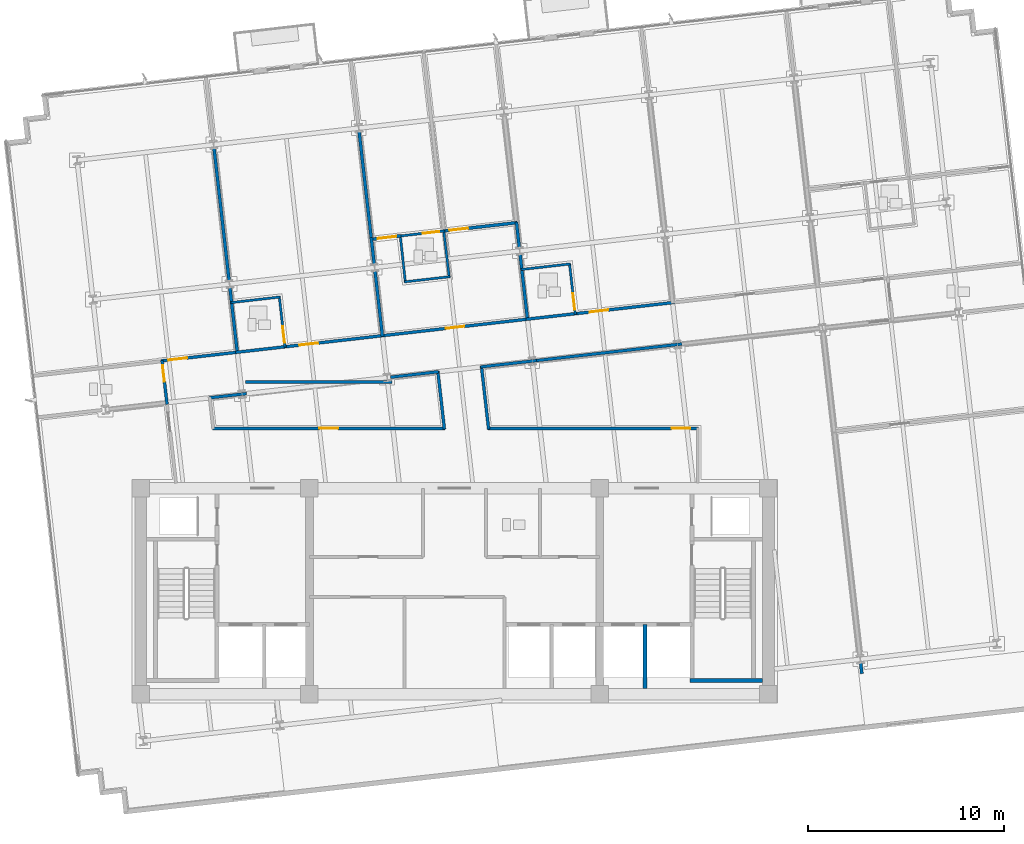
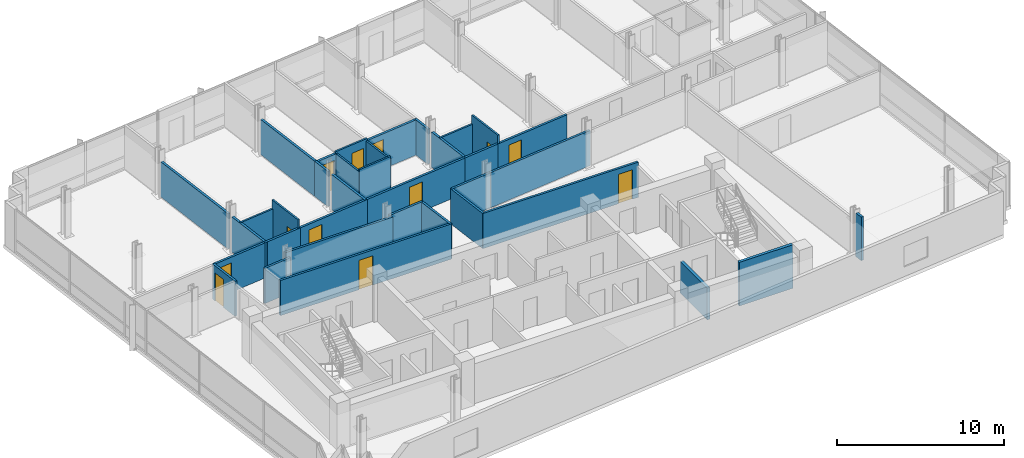
# One storey, part 10 of 16: 36 walls, 12 doors, 12 openings.
"""IFC4 building model written with IfcOpenShell, lengths in metres."""

from ifc_helpers import new_model, si_unit, direction, frame, frame_2d, origin, place, context, subcontext, project, spatial, rectangle, extrude, material, layer, layer_set, type_object, element, fill, save


model = new_model("IFC4")

# Units and contexts
model_context = context("Model", 3, precision=1e-05, world=origin(), true_north=direction((0.0, 1.0)))
body_context = subcontext(model_context, "Body", "Model", "MODEL_VIEW")
ifc_project = project(units=[si_unit("LENGTHUNIT", "METRE"), si_unit("AREAUNIT", "SQUARE_METRE"), si_unit("VOLUMEUNIT", "CUBIC_METRE"), si_unit("PLANEANGLEUNIT", "RADIAN"), si_unit("MASSUNIT", "GRAM", prefix="KILO")], contexts=[model_context])

# Site, building, storey
site_placement = place(None, origin())
site = spatial("IfcSite", under=ifc_project, at=site_placement, CompositionType="ELEMENT")
building_placement = place(site_placement, origin())
building = spatial("IfcBuilding", under=site, at=building_placement, Name="Solmavex Isthmus Hotel", CompositionType="ELEMENT")
storey_placement = place(building_placement, frame((0.0, 0.0, 215.85009765625)))
storey = spatial("IfcBuildingStorey", under=building, at=storey_placement, Name="L58", CompositionType="ELEMENT", Elevation=215.85009765625)

# Walls
ifc_material_1 = material(Name="Gypsum plasterboard lining", Category="gypsum")
ifc_layer_1 = layer(ifc_material_1, 0.159912109375)
ifc_layer_set_1 = layer_set([ifc_layer_1], Name="Gypsum plasterboard lining")
wall_type_1 = type_object("IfcWallType", Name="IW-COMP-160", PredefinedType="PARTITIONING", material=ifc_layer_set_1)
wall_1_placement = place(storey_placement, frame((-12.262939453125, 14.84326171875, 0.0), z_axis=(0.0, 0.0, 1.0), x_axis=(0.113177968069, -0.993574731736, 0.0)))
element("IfcWall", 1, at=wall_1_placement, inside=storey, type_object=wall_type_1, Name="Interior Partition Wall W-L58-P026", PredefinedType="PARTITIONING", context=body_context, shape_type="SweptSolid", body=[
    extrude(rectangle(XDim=6.79931640625, YDim=0.159912109375, at=frame_2d((3.399658203125, 0.0))), origin(), (0.0, 0.0, 1.0), 2.572265625),
])
wall_2_placement = place(storey_placement, frame((-11.453369140625, 7.737060546875, 0.0), z_axis=(0.0, 0.0, 1.0), x_axis=(0.113229088195, -0.993568907317, 0.0)))
element("IfcWall", 2, at=wall_2_placement, inside=storey, type_object=wall_type_1, Name="Interior Partition Wall W-L58-P027", PredefinedType="PARTITIONING", context=body_context, shape_type="SweptSolid", body=[
    extrude(rectangle(XDim=3.361572265625, YDim=0.159912109375, at=frame_2d((1.6806640625, 0.0))), origin(), (0.0, 0.0, 1.0), 2.572265625),
])
wall_3_placement = place(storey_placement, frame((-4.248779296875, 10.27734375, 0.0), z_axis=(0.0, 0.0, 1.0), x_axis=(0.113277393391, -0.993563401171, 0.0)))
element("IfcWall", 3, at=wall_3_placement, inside=storey, type_object=wall_type_1, Name="Interior Partition Wall W-L58-P031", PredefinedType="PARTITIONING", context=body_context, shape_type="SweptSolid", body=[
    extrude(rectangle(XDim=1.355712890625, YDim=0.159912109375, at=frame_2d((0.677734375, 0.0))), origin(), (0.0, 0.0, 1.0), 2.572265625),
])
wall_4_placement = place(storey_placement, frame((-4.05517578125, 8.580078125, 0.0), z_axis=(0.0, 0.0, 1.0), x_axis=(0.113149223935, -0.993578005555, 0.0)))
element("IfcWall", 4, at=wall_4_placement, inside=storey, type_object=wall_type_1, Name="Interior Partition Wall W-L58-P032", PredefinedType="PARTITIONING", context=body_context, shape_type="SweptSolid", body=[
    extrude(rectangle(XDim=3.361572265625, YDim=0.159912109375, at=frame_2d((1.6806640625, 0.0))), origin(), (0.0, 0.0, 1.0), 2.572265625),
])
wall_5_placement = place(storey_placement, frame((-4.864990234375, 15.68603515625, 0.0), z_axis=(0.0, 0.0, 1.0), x_axis=(0.113240841501, -0.993567567816, 0.0)))
element("IfcWall", 5, at=wall_5_placement, inside=storey, type_object=wall_type_1, Name="Interior Partition Wall W-L58-P034", PredefinedType="PARTITIONING", context=body_context, shape_type="SweptSolid", body=[
    extrude(rectangle(XDim=5.607666015625, YDim=0.159912109375, at=frame_2d((2.8037109375, 0.0))), origin(), (0.0, 0.0, 1.0), 2.572265625),
])

# Wall, opening, door
wall_6_placement = place(storey_placement, frame((-4.279052734375, 10.19140625, 0.0), z_axis=(0.0, 0.0, 1.0), x_axis=(0.993567364513, 0.113242625259, 0.0)))
wall_6 = element("IfcWall", 6, at=wall_6_placement, inside=storey, type_object=wall_type_1, Name="Interior Partition Wall W-L58-P035", PredefinedType="PARTITIONING", context=body_context, shape_type="SweptSolid", body=[
    extrude(rectangle(XDim=1.56298828125, YDim=0.159912109375, at=frame_2d((0.781494140625, 0.0))), origin(), (0.0, 0.0, 1.0), 2.572265625),
])
opening_1_placement = place(wall_6_placement, frame((0.368896484375, 0.0, 0.0)))
opening_1 = element("IfcOpeningElement", 7, at=opening_1_placement, cuts=wall_6, Name="Opening ID-C095", PredefinedType="OPENING", context=body_context, shape_type="SweptSolid", body=[
    extrude(rectangle(XDim=0.949951171875, YDim=2.14990234375, at=frame_2d((0.47509765625, 1.074951171875))), frame((0.0, 0.08984375, 0.0), z_axis=(0.0, -1.0, 0.0), x_axis=(1.0, 0.0, 0.0)), (0.0, 0.0, 1.0), 0.179931640625),
])
ifc_material_2 = material(Name="Hardwood timber", Category="wood")
door_type_1 = type_object("IfcDoorType", Name="IDR-FD60-0950", OperationType="NOTDEFINED", PredefinedType="DOOR", material=ifc_material_2)
door_1_placement = place(opening_1_placement, origin())
door_1 = element("IfcDoor", 8, at=door_1_placement, inside=storey, type_object=door_type_1, Name="Ambassador Panorama Suite Master Bedroom Door L58-05", OperationType="SINGLE_SWING_LEFT", OverallHeight=2.14990234375, OverallWidth=0.949951171875, PredefinedType="DOOR", context=body_context, shape_type="SweptSolid", body=[
    extrude(rectangle(XDim=0.949951171875, YDim=2.14990234375, at=frame_2d((0.47509765625, 1.074951171875))), frame((0.0, 0.02490234375, 0.0), z_axis=(0.0, -1.0, 0.0), x_axis=(1.0, 0.0, 0.0)), (0.0, 0.0, 1.0), 0.050048828125),
])
fill(opening_1, door_1)

wall_7_placement = place(storey_placement, frame((-0.590087890625, 10.61181640625, 0.0), z_axis=(0.0, 0.0, 1.0), x_axis=(0.99357223569, 0.11319987838, 0.0)))
wall_7 = element("IfcWall", 9, at=wall_7_placement, inside=storey, type_object=wall_type_1, Name="Interior Partition Wall W-L58-P036", PredefinedType="PARTITIONING", context=body_context, shape_type="SweptSolid", body=[
    extrude(rectangle(XDim=3.81298828125, YDim=0.159912109375, at=frame_2d((1.906494140625, 0.0))), origin(), (0.0, 0.0, 1.0), 2.572265625),
])
opening_2_placement = place(wall_7_placement, frame((0.333984375, 0.0, 0.0)))
opening_2 = element("IfcOpeningElement", 10, at=opening_2_placement, cuts=wall_7, Name="Opening ID-C095", PredefinedType="OPENING", context=body_context, shape_type="SweptSolid", body=[
    extrude(rectangle(XDim=0.949951171875, YDim=2.14990234375, at=frame_2d((0.47509765625, 1.074951171875))), frame((0.0, 0.08984375, 0.0), z_axis=(0.0, -1.0, 0.0), x_axis=(1.0, 0.0, 0.0)), (0.0, 0.0, 1.0), 0.179931640625),
])
door_2_placement = place(opening_2_placement, origin())
door_2 = element("IfcDoor", 11, at=door_2_placement, inside=storey, type_object=door_type_1, Name="Ambassador Panorama Suite Panorama Sitting Study Door L58-06", OperationType="SINGLE_SWING_RIGHT", OverallHeight=2.14990234375, OverallWidth=0.949951171875, PredefinedType="DOOR", context=body_context, shape_type="SweptSolid", body=[
    extrude(rectangle(XDim=0.949951171875, YDim=2.14990234375, at=frame_2d((0.47509765625, 1.074951171875))), frame((0.0, 0.02490234375, 0.0), z_axis=(0.0, -1.0, 0.0), x_axis=(1.0, 0.0, 0.0)), (0.0, 0.0, 1.0), 0.050048828125),
])
fill(opening_2, door_2)

# Walls
wall_8_placement = place(storey_placement, frame((3.154296875, 11.07861328125, 0.0), z_axis=(0.0, 0.0, 1.0), x_axis=(0.113184910218, -0.993573940932, 0.0)))
element("IfcWall", 12, at=wall_8_placement, inside=storey, type_object=wall_type_1, Name="Interior Partition Wall W-L58-P040", PredefinedType="PARTITIONING", context=body_context, shape_type="SweptSolid", body=[
    extrude(rectangle(XDim=1.313720703125, YDim=0.159912109375, at=frame_2d((0.65673828125, 0.0))), origin(), (0.0, 0.0, 1.0), 2.572265625),
])
wall_9_placement = place(storey_placement, frame((3.3427734375, 9.4228515625, 0.0), z_axis=(0.0, 0.0, 1.0), x_axis=(0.113229088195, -0.993568907317, 0.0)))
element("IfcWall", 13, at=wall_9_placement, inside=storey, type_object=wall_type_1, Name="Interior Partition Wall W-L58-P041", PredefinedType="PARTITIONING", context=body_context, shape_type="SweptSolid", body=[
    extrude(rectangle(XDim=3.361572265625, YDim=0.159912109375, at=frame_2d((1.6806640625, 0.0))), origin(), (0.0, 0.0, 1.0), 2.572265625),
])
wall_10_placement = place(storey_placement, frame((20.766845703125, -11.95361328125, 0.0), z_axis=(0.0, 0.0, 1.0), x_axis=(-0.113473301663, 0.993541045861, 0.0)))
element("IfcWall", 14, at=wall_10_placement, inside=storey, type_object=wall_type_1, Name="Interior Partition Wall W-L58-P070", PredefinedType="PARTITIONING", context=body_context, shape_type="SweptSolid", body=[
    extrude(rectangle(XDim=0.563720703125, YDim=0.159912109375, at=frame_2d((0.28173828125, 0.0))), origin(), (0.0, 0.0, 1.0), 3.18994140625),
])

# Wall, opening, door
ifc_layer_2 = layer(ifc_material_1, 0.14990234375)
ifc_layer_set_2 = layer_set([ifc_layer_2], Name="Gypsum plasterboard lining")
wall_type_2 = type_object("IfcWallType", Name="IW-CORR-150", PredefinedType="PARTITIONING", material=ifc_layer_set_2)
wall_11_placement = place(storey_placement, frame((-14.950439453125, 3.99560546875, 0.0), z_axis=(0.0, 0.0, 1.0), x_axis=(0.993575504711, 0.11317118201, 0.0)))
wall_11 = element("IfcWall", 15, at=wall_11_placement, inside=storey, type_object=wall_type_2, Name="Interior Partition Wall W-L58-P001", PredefinedType="PARTITIONING", context=body_context, shape_type="SweptSolid", body=[
    extrude(rectangle(XDim=3.980224609375, YDim=0.14990234375, at=frame_2d((1.990234375, 0.0))), origin(), (0.0, 0.0, 1.0), 2.572265625),
])
opening_3_placement = place(wall_11_placement, frame((0.368408203125, 0.0, 0.0)))
opening_3 = element("IfcOpeningElement", 16, at=opening_3_placement, cuts=wall_11, Name="Opening ID-C095", PredefinedType="OPENING", context=body_context, shape_type="SweptSolid", body=[
    extrude(rectangle(XDim=0.949951171875, YDim=2.14990234375, at=frame_2d((0.47509765625, 1.074951171875))), frame((0.0, 0.0849609375, 0.0), z_axis=(0.0, -1.0, 0.0), x_axis=(1.0, 0.0, 0.0)), (0.0, 0.0, 1.0), 0.169921875),
])
door_3_placement = place(opening_3_placement, origin())
door_3 = element("IfcDoor", 17, at=door_3_placement, inside=storey, type_object=door_type_1, Name="Sky Garden Conservatory Lounge Door L58-01", OperationType="SINGLE_SWING_LEFT", OverallHeight=2.14990234375, OverallWidth=0.949951171875, PredefinedType="DOOR", context=body_context, shape_type="SweptSolid", body=[
    extrude(rectangle(XDim=0.949951171875, YDim=2.14990234375, at=frame_2d((0.47509765625, 1.074951171875))), frame((0.0, 0.02490234375, 0.0), z_axis=(0.0, -1.0, 0.0), x_axis=(1.0, 0.0, 0.0)), (0.0, 0.0, 1.0), 0.050048828125),
])
fill(opening_3, door_3)

wall_12_placement = place(storey_placement, frame((-8.724609375, 4.704833984375, 0.0), z_axis=(0.0, 0.0, 1.0), x_axis=(0.993569374626, 0.113224987546, 0.0)))
wall_12 = element("IfcWall", 18, at=wall_12_placement, inside=storey, type_object=wall_type_2, Name="Interior Partition Wall W-L58-P002", PredefinedType="PARTITIONING", context=body_context, shape_type="SweptSolid", body=[
    extrude(rectangle(XDim=5.159912109375, YDim=0.14990234375, at=frame_2d((2.580078125, 0.0))), origin(), (0.0, 0.0, 1.0), 2.572265625),
])
opening_4_placement = place(wall_12_placement, frame((0.82470703125, 0.0, 0.0)))
opening_4 = element("IfcOpeningElement", 19, at=opening_4_placement, cuts=wall_12, Name="Opening ID-C095", PredefinedType="OPENING", context=body_context, shape_type="SweptSolid", body=[
    extrude(rectangle(XDim=0.949951171875, YDim=2.14990234375, at=frame_2d((0.47509765625, 1.074951171875))), frame((0.0, 0.0849609375, 0.0), z_axis=(0.0, -1.0, 0.0), x_axis=(1.0, 0.0, 0.0)), (0.0, 0.0, 1.0), 0.169921875),
])
door_4_placement = place(opening_4_placement, origin())
door_4 = element("IfcDoor", 20, at=door_4_placement, inside=storey, type_object=door_type_1, Name="Premier Suite Door L58-02", OperationType="SINGLE_SWING_RIGHT", OverallHeight=2.14990234375, OverallWidth=0.949951171875, PredefinedType="DOOR", context=body_context, shape_type="SweptSolid", body=[
    extrude(rectangle(XDim=0.949951171875, YDim=2.14990234375, at=frame_2d((0.47509765625, 1.074951171875))), frame((0.0, 0.02490234375, 0.0), z_axis=(0.0, -1.0, 0.0), x_axis=(1.0, 0.0, 0.0)), (0.0, 0.0, 1.0), 0.050048828125),
])
fill(opening_4, door_4)

# Wall
wall_13_placement = place(storey_placement, frame((-11.158935546875, 4.427490234375, 0.0), z_axis=(0.0, 0.0, 1.0), x_axis=(0.993572349416, 0.113198880193, 0.0)))
element("IfcWall", 21, at=wall_13_placement, inside=storey, type_object=wall_type_2, Name="Interior Partition Wall W-L58-P003", PredefinedType="PARTITIONING", context=body_context, shape_type="SweptSolid", body=[
    extrude(rectangle(XDim=2.614013671875, YDim=0.14990234375, at=frame_2d((1.30712890625, 0.0))), origin(), (0.0, 0.0, 1.0), 2.572265625),
])

# Wall, opening, door
wall_14_placement = place(storey_placement, frame((-3.7607421875, 5.2705078125, 0.0), z_axis=(0.0, 0.0, 1.0), x_axis=(0.993570360949, 0.113216332056, 0.0)))
wall_14 = element("IfcWall", 22, at=wall_14_placement, inside=storey, type_object=wall_type_2, Name="Interior Partition Wall W-L58-P004", PredefinedType="PARTITIONING", context=body_context, shape_type="SweptSolid", body=[
    extrude(rectangle(XDim=7.60986328125, YDim=0.14990234375, at=frame_2d((3.804931640625, 0.0))), origin(), (0.0, 0.0, 1.0), 2.572265625),
])
opening_5_placement = place(wall_14_placement, frame((3.330078125, 0.0, 0.0)))
opening_5 = element("IfcOpeningElement", 23, at=opening_5_placement, cuts=wall_14, Name="Opening ID-C095", PredefinedType="OPENING", context=body_context, shape_type="SweptSolid", body=[
    extrude(rectangle(XDim=0.949951171875, YDim=2.14990234375, at=frame_2d((0.47509765625, 1.074951171875))), frame((0.0, 0.0849609375, 0.0), z_axis=(0.0, -1.0, 0.0), x_axis=(1.0, 0.0, 0.0)), (0.0, 0.0, 1.0), 0.169921875),
])
door_5_placement = place(opening_5_placement, origin())
door_5 = element("IfcDoor", 24, at=door_5_placement, inside=storey, type_object=door_type_1, Name="Ambassador Panorama Suite Living Salon Door L58-04", OperationType="SINGLE_SWING_RIGHT", OverallHeight=2.14990234375, OverallWidth=0.949951171875, PredefinedType="DOOR", context=body_context, shape_type="SweptSolid", body=[
    extrude(rectangle(XDim=0.949951171875, YDim=2.14990234375, at=frame_2d((0.47509765625, 1.074951171875))), frame((0.0, 0.02490234375, 0.0), z_axis=(0.0, -1.0, 0.0), x_axis=(1.0, 0.0, 0.0)), (0.0, 0.0, 1.0), 0.050048828125),
])
fill(opening_5, door_5)

wall_15_placement = place(storey_placement, frame((6.07177734375, 6.390625, 0.0), z_axis=(0.0, 0.0, 1.0), x_axis=(0.993569374626, 0.113224987546, 0.0)))
wall_15 = element("IfcWall", 25, at=wall_15_placement, inside=storey, type_object=wall_type_2, Name="Interior Partition Wall W-L58-P005", PredefinedType="PARTITIONING", context=body_context, shape_type="SweptSolid", body=[
    extrude(rectangle(XDim=5.159912109375, YDim=0.14990234375, at=frame_2d((2.580078125, 0.0))), origin(), (0.0, 0.0, 1.0), 2.572265625),
])
opening_6_placement = place(wall_15_placement, frame((0.82470703125, 0.0, 0.0)))
opening_6 = element("IfcOpeningElement", 26, at=opening_6_placement, cuts=wall_15, Name="Opening ID-C095", PredefinedType="OPENING", context=body_context, shape_type="SweptSolid", body=[
    extrude(rectangle(XDim=0.949951171875, YDim=2.14990234375, at=frame_2d((0.47509765625, 1.074951171875))), frame((0.0, 0.0849609375, 0.0), z_axis=(0.0, -1.0, 0.0), x_axis=(1.0, 0.0, 0.0)), (0.0, 0.0, 1.0), 0.169921875),
])
door_6_placement = place(opening_6_placement, origin())
door_6 = element("IfcDoor", 27, at=door_6_placement, inside=storey, type_object=door_type_1, Name="Diplomatic Suite Door L58-08", OperationType="SINGLE_SWING_RIGHT", OverallHeight=2.14990234375, OverallWidth=0.949951171875, PredefinedType="DOOR", context=body_context, shape_type="SweptSolid", body=[
    extrude(rectangle(XDim=0.949951171875, YDim=2.14990234375, at=frame_2d((0.47509765625, 1.074951171875))), frame((0.0, 0.02490234375, 0.0), z_axis=(0.0, -1.0, 0.0), x_axis=(1.0, 0.0, 0.0)), (0.0, 0.0, 1.0), 0.050048828125),
])
fill(opening_6, door_6)

# Wall
wall_16_placement = place(storey_placement, frame((3.637451171875, 6.11328125, 0.0), z_axis=(0.0, 0.0, 1.0), x_axis=(0.99356184061, 0.11329108034, 0.0)))
element("IfcWall", 28, at=wall_16_placement, inside=storey, type_object=wall_type_2, Name="Interior Partition Wall W-L58-P006", PredefinedType="PARTITIONING", context=body_context, shape_type="SweptSolid", body=[
    extrude(rectangle(XDim=2.614013671875, YDim=0.14990234375, at=frame_2d((1.30712890625, 0.0))), origin(), (0.0, 0.0, 1.0), 2.572265625),
])

# Wall, opening, door
wall_17_placement = place(storey_placement, frame((-14.657958984375, 1.782470703125, 0.0), z_axis=(0.0, 0.0, 1.0), x_axis=(-0.113179685294, 0.993574536125, 0.0)))
wall_17 = element("IfcWall", 29, at=wall_17_placement, inside=storey, type_object=wall_type_2, Name="Interior Partition Wall W-L58-P009", PredefinedType="PARTITIONING", context=body_context, shape_type="SweptSolid", body=[
    extrude(rectangle(XDim=2.251953125, YDim=0.14990234375, at=frame_2d((1.1259765625, 0.0))), origin(), (0.0, 0.0, 1.0), 2.572265625),
])
opening_7_placement = place(wall_17_placement, frame((1.156982421875, 0.0, 0.0)))
opening_7 = element("IfcOpeningElement", 30, at=opening_7_placement, cuts=wall_17, Name="Opening ID-R085", PredefinedType="OPENING", context=body_context, shape_type="SweptSolid", body=[
    extrude(rectangle(XDim=0.85009765625, YDim=2.050048828125, at=frame_2d((0.425048828125, 1.02490234375))), frame((0.0, 0.0849609375, 0.0), z_axis=(0.0, -1.0, 0.0), x_axis=(1.0, 0.0, 0.0)), (0.0, 0.0, 1.0), 0.169921875),
])
ifc_material_3 = material(Name="Steel ASTM A500 Grade C", Category="steel")
door_type_2 = type_object("IfcDoorType", Name="IDR-FD60-0850", OperationType="NOTDEFINED", PredefinedType="DOOR", material=ifc_material_3)
door_7_placement = place(opening_7_placement, frame((0.85009765625, 0.0, 0.0), z_axis=(0.0, 0.0, 1.0), x_axis=(-1.0, 0.0, 0.0)))
door_7 = element("IfcDoor", 31, at=door_7_placement, inside=storey, type_object=door_type_2, Name="Accessible Public Restroom WC Door L58-15", OperationType="SINGLE_SWING_LEFT", OverallHeight=2.050048828125, OverallWidth=0.85009765625, PredefinedType="DOOR", context=body_context, shape_type="SweptSolid", body=[
    extrude(rectangle(XDim=0.85009765625, YDim=2.050048828125, at=frame_2d((0.425048828125, 1.02490234375))), frame((0.0, 0.02490234375, 0.0), z_axis=(0.0, -1.0, 0.0), x_axis=(1.0, 0.0, 0.0)), (0.0, 0.0, 1.0), 0.050048828125),
])
fill(opening_7, door_7)

# Wall
wall_18_placement = place(storey_placement, frame((-10.6064453125, 2.32666015625, 0.0), z_axis=(0.0, 0.0, 1.0), x_axis=(-0.993564486687, -0.113267871856, 0.0)))
element("IfcWall", 32, at=wall_18_placement, inside=storey, type_object=wall_type_2, Name="Interior Partition Wall W-L58-P011", PredefinedType="PARTITIONING", context=body_context, shape_type="SweptSolid", body=[
    extrude(rectangle(XDim=1.927001953125, YDim=0.14990234375, at=frame_2d((0.96337890625, 0.0))), origin(), (0.0, 0.0, 1.0), 2.572265625),
])

# Wall, opening, door
wall_19_placement = place(storey_placement, frame((-12.34326171875, 0.550048828125, 0.0), z_axis=(0.0, 0.0, 1.0), x_axis=(1.0, 0.0, 0.0)))
wall_19 = element("IfcWall", 33, at=wall_19_placement, inside=storey, type_object=wall_type_2, Name="Interior Partition Wall W-L58-P013", PredefinedType="PARTITIONING", context=body_context, shape_type="SweptSolid", body=[
    extrude(rectangle(XDim=11.86279296875, YDim=0.14990234375, at=frame_2d((5.931396484375, 0.0))), origin(), (0.0, 0.0, 1.0), 2.572265625),
])
opening_8_placement = place(wall_19_placement, frame((5.456298828125, 0.0, 0.0)))
opening_8 = element("IfcOpeningElement", 34, at=opening_8_placement, cuts=wall_19, Name="Opening ID-C095", PredefinedType="OPENING", context=body_context, shape_type="SweptSolid", body=[
    extrude(rectangle(XDim=0.949951171875, YDim=2.14990234375, at=frame_2d((0.47509765625, 1.074951171875))), frame((0.0, 0.0849609375, 0.0), z_axis=(0.0, -1.0, 0.0), x_axis=(1.0, 0.0, 0.0)), (0.0, 0.0, 1.0), 0.169921875),
])
door_8_placement = place(opening_8_placement, origin())
door_8 = element("IfcDoor", 35, at=door_8_placement, inside=storey, type_object=door_type_1, Name="Tea Kitchenette Door L58-17", OperationType="SINGLE_SWING_LEFT", OverallHeight=2.14990234375, OverallWidth=0.949951171875, PredefinedType="DOOR", context=body_context, shape_type="SweptSolid", body=[
    extrude(rectangle(XDim=0.949951171875, YDim=2.14990234375, at=frame_2d((0.47509765625, 1.074951171875))), frame((0.0, 0.02490234375, 0.0), z_axis=(0.0, -1.0, 0.0), x_axis=(1.0, 0.0, 0.0)), (0.0, 0.0, 1.0), 0.050048828125),
])
fill(opening_8, door_8)

# Walls
wall_20_placement = place(storey_placement, frame((-0.515869140625, 0.51025390625, 0.0), z_axis=(0.0, 0.0, 1.0), x_axis=(-0.113283799092, 0.993562670828, 0.0)))
element("IfcWall", 36, at=wall_20_placement, inside=storey, type_object=wall_type_2, Name="Interior Partition Wall W-L58-P014", PredefinedType="PARTITIONING", context=body_context, shape_type="SweptSolid", body=[
    extrude(rectangle(XDim=2.987060546875, YDim=0.14990234375, at=frame_2d((1.49365234375, 0.0))), origin(), (0.0, 0.0, 1.0), 2.572265625),
])
wall_21_placement = place(storey_placement, frame((-0.809814453125, 3.44287109375, 0.0), z_axis=(0.0, 0.0, 1.0), x_axis=(-0.993568355418, -0.113233930922, 0.0)))
element("IfcWall", 37, at=wall_21_placement, inside=storey, type_object=wall_type_2, Name="Interior Partition Wall W-L58-P015", PredefinedType="PARTITIONING", context=body_context, shape_type="SweptSolid", body=[
    extrude(rectangle(XDim=2.466552734375, YDim=0.14990234375, at=frame_2d((1.2333984375, 0.0))), origin(), (0.0, 0.0, 1.0), 2.572265625),
])
wall_22_placement = place(storey_placement, frame((-3.180908203125, 2.9287109375, 0.0), z_axis=(0.0, 0.0, 1.0), x_axis=(-1.0, 0.0, 0.0)))
element("IfcWall", 38, at=wall_22_placement, inside=storey, type_object=wall_type_2, Name="Interior Partition Wall W-L58-P016", PredefinedType="PARTITIONING", context=body_context, shape_type="SweptSolid", body=[
    extrude(rectangle(XDim=7.477783203125, YDim=0.14990234375, at=frame_2d((3.73876953125, 0.0))), origin(), (0.0, 0.0, 1.0), 2.572265625),
])
wall_23_placement = place(storey_placement, frame((4.18994140625, 4.012451171875, 0.0), z_axis=(0.0, 0.0, 1.0), x_axis=(-0.99356987962, -0.113220556049, 0.0)))
element("IfcWall", 39, at=wall_23_placement, inside=storey, type_object=wall_type_2, Name="Interior Partition Wall W-L58-P019", PredefinedType="PARTITIONING", context=body_context, shape_type="SweptSolid", body=[
    extrude(rectangle(XDim=2.872314453125, YDim=0.14990234375, at=frame_2d((1.43603515625, 0.0))), origin(), (0.0, 0.0, 1.0), 2.572265625),
])
wall_24_placement = place(storey_placement, frame((1.37158203125, 3.731689453125, 0.0), z_axis=(0.0, 0.0, 1.0), x_axis=(0.113174940517, -0.993575076599, 0.0)))
element("IfcWall", 40, at=wall_24_placement, inside=storey, type_object=wall_type_2, Name="Interior Partition Wall W-L58-P020", PredefinedType="PARTITIONING", context=body_context, shape_type="SweptSolid", body=[
    extrude(rectangle(XDim=3.2421875, YDim=0.14990234375, at=frame_2d((1.62109375, 0.0))), origin(), (0.0, 0.0, 1.0), 2.572265625),
])

# Wall, opening, door
wall_25_placement = place(storey_placement, frame((1.694091796875, 0.550048828125, 0.0), z_axis=(0.0, 0.0, 1.0), x_axis=(1.0, 0.0, 0.0)))
wall_25 = element("IfcWall", 41, at=wall_25_placement, inside=storey, type_object=wall_type_2, Name="Interior Partition Wall W-L58-P021", PredefinedType="PARTITIONING", context=body_context, shape_type="SweptSolid", body=[
    extrude(rectangle(XDim=10.745849609375, YDim=0.14990234375, at=frame_2d((5.373046875, 0.0))), origin(), (0.0, 0.0, 1.0), 2.572265625),
])
opening_9_placement = place(wall_25_placement, frame((9.377685546875, 0.0, 0.0)))
opening_9 = element("IfcOpeningElement", 42, at=opening_9_placement, cuts=wall_25, Name="Opening ID-C095", PredefinedType="OPENING", context=body_context, shape_type="SweptSolid", body=[
    extrude(rectangle(XDim=0.949951171875, YDim=2.14990234375, at=frame_2d((0.47509765625, 1.074951171875))), frame((0.0, 0.0849609375, 0.0), z_axis=(0.0, -1.0, 0.0), x_axis=(1.0, 0.0, 0.0)), (0.0, 0.0, 1.0), 0.169921875),
])
door_9_placement = place(opening_9_placement, frame((0.949951171875, 0.0, 0.0), z_axis=(0.0, 0.0, 1.0), x_axis=(-1.0, 0.0, 0.0)))
door_9 = element("IfcDoor", 43, at=door_9_placement, inside=storey, type_object=door_type_1, Name="Botanical Library Door L58-21", OperationType="SINGLE_SWING_LEFT", OverallHeight=2.14990234375, OverallWidth=0.949951171875, PredefinedType="DOOR", context=body_context, shape_type="SweptSolid", body=[
    extrude(rectangle(XDim=0.949951171875, YDim=2.14990234375, at=frame_2d((0.47509765625, 1.074951171875))), frame((0.0, 0.02490234375, 0.0), z_axis=(0.0, -1.0, 0.0), x_axis=(1.0, 0.0, 0.0)), (0.0, 0.0, 1.0), 0.050048828125),
])
fill(opening_9, door_9)

# Wall
wall_26_placement = place(storey_placement, frame((11.587890625, 4.855224609375, 0.0), z_axis=(0.0, 0.0, 1.0), x_axis=(-0.993575418148, -0.113171941983, 0.0)))
element("IfcWall", 44, at=wall_26_placement, inside=storey, type_object=wall_type_2, Name="Interior Partition Wall W-L58-P023", PredefinedType="PARTITIONING", context=body_context, shape_type="SweptSolid", body=[
    extrude(rectangle(XDim=7.49853515625, YDim=0.14990234375, at=frame_2d((3.749267578125, 0.0))), origin(), (0.0, 0.0, 1.0), 2.572265625),
])

# Wall, opening, door
ifc_layer_3 = layer(ifc_material_1, 0.1201171875)
ifc_layer_set_3 = layer_set([ifc_layer_3], Name="Gypsum plasterboard lining")
wall_type_3 = type_object("IfcWallType", Name="IW-PART-120", PredefinedType="PARTITIONING", material=ifc_layer_set_3)
wall_27_placement = place(storey_placement, frame((-8.638671875, 4.674560546875, 0.0), z_axis=(0.0, 0.0, 1.0), x_axis=(-0.113161716754, 0.993576582786, 0.0)))
wall_27 = element("IfcWall", 45, at=wall_27_placement, inside=storey, type_object=wall_type_3, Name="Interior Partition Wall W-L58-P029", PredefinedType="PARTITIONING", context=body_context, shape_type="SweptSolid", body=[
    extrude(rectangle(XDim=2.6298828125, YDim=0.1201171875, at=frame_2d((1.31494140625, 0.0))), origin(), (0.0, 0.0, 1.0), 3.18994140625),
])
opening_10_placement = place(wall_27_placement, frame((0.247314453125, 0.0, 0.0)))
opening_10 = element("IfcOpeningElement", 46, at=opening_10_placement, cuts=wall_27, Name="Opening ID-U085", PredefinedType="OPENING", context=body_context, shape_type="SweptSolid", body=[
    extrude(rectangle(XDim=0.85009765625, YDim=2.10009765625, at=frame_2d((0.425048828125, 1.050048828125))), frame((0.0, 0.070068359375, 0.0), z_axis=(0.0, -1.0, 0.0), x_axis=(1.0, 0.0, 0.0)), (0.0, 0.0, 1.0), 0.14013671875),
])
door_type_3 = type_object("IfcDoorType", Name="IDR-UNR-0850", OperationType="NOTDEFINED", PredefinedType="DOOR", material=ifc_material_2)
door_10_placement = place(opening_10_placement, frame((0.85009765625, 0.0, 0.0), z_axis=(0.0, 0.0, 1.0), x_axis=(-1.0, 0.0, 0.0)))
door_10 = element("IfcDoor", 47, at=door_10_placement, inside=storey, type_object=door_type_3, Name="En-suite Bathroom Door L58-03", OperationType="SINGLE_SWING_LEFT", OverallHeight=2.10009765625, OverallWidth=0.85009765625, PredefinedType="DOOR", context=body_context, shape_type="SweptSolid", body=[
    extrude(rectangle(XDim=0.85009765625, YDim=2.10009765625, at=frame_2d((0.425048828125, 1.050048828125))), frame((0.0, 0.02490234375, 0.0), z_axis=(0.0, -1.0, 0.0), x_axis=(1.0, 0.0, 0.0)), (0.0, 0.0, 1.0), 0.050048828125),
])
fill(opening_10, door_10)

# Walls
wall_28_placement = place(storey_placement, frame((-8.89208984375, 7.25244140625, 0.0), z_axis=(0.0, 0.0, 1.0), x_axis=(-0.993561877368, -0.113290757967, 0.0)))
element("IfcWall", 48, at=wall_28_placement, inside=storey, type_object=wall_type_3, Name="Interior Partition Wall W-L58-P030", PredefinedType="PARTITIONING", context=body_context, shape_type="SweptSolid", body=[
    extrude(rectangle(XDim=2.530029296875, YDim=0.1201171875, at=frame_2d((1.26513671875, 0.0))), origin(), (0.0, 0.0, 1.0), 2.572265625),
])
wall_29_placement = place(storey_placement, frame((-2.770263671875, 10.403564453125, 0.0), z_axis=(0.0, 0.0, 1.0), x_axis=(0.10900891826, -0.994040771669, 0.0)))
element("IfcWall", 49, at=wall_29_placement, inside=storey, type_object=wall_type_3, Name="Interior Partition Wall W-L58-P037", PredefinedType="PARTITIONING", context=body_context, shape_type="SweptSolid", body=[
    extrude(rectangle(XDim=2.429931640625, YDim=0.1201171875, at=frame_2d((1.21484375, 0.0))), origin(), (0.0, 0.0, 1.0), 2.572265625),
])
wall_30_placement = place(storey_placement, frame((-2.549560546875, 8.023193359375, 0.0), z_axis=(0.0, 0.0, 1.0), x_axis=(0.993564044581, 0.113271749862, 0.0)))
element("IfcWall", 50, at=wall_30_placement, inside=storey, type_object=wall_type_3, Name="Interior Partition Wall W-L58-P038", PredefinedType="PARTITIONING", context=body_context, shape_type="SweptSolid", body=[
    extrude(rectangle(XDim=2.329833984375, YDim=0.1201171875, at=frame_2d((1.1650390625, 0.0))), origin(), (0.0, 0.0, 1.0), 2.718017578125),
])
wall_31_placement = place(storey_placement, frame((-0.26953125, 8.242919921875, 0.0), z_axis=(0.0, 0.0, 1.0), x_axis=(-0.117453323997, 0.993078404096, 0.0)))
element("IfcWall", 51, at=wall_31_placement, inside=storey, type_object=wall_type_3, Name="Interior Partition Wall W-L58-P039", PredefinedType="PARTITIONING", context=body_context, shape_type="SweptSolid", body=[
    extrude(rectangle(XDim=2.429931640625, YDim=0.1201171875, at=frame_2d((1.21484375, 0.0))), origin(), (0.0, 0.0, 1.0), 2.572265625),
])

# Wall, opening, door
wall_32_placement = place(storey_placement, frame((-0.50048828125, 10.6220703125, 0.0), z_axis=(0.0, 0.0, 1.0), x_axis=(-0.99357109585, -0.113209882477, 0.0)))
wall_32 = element("IfcWall", 52, at=wall_32_placement, inside=storey, type_object=wall_type_3, Name="Interior Partition Wall W-L58-P043", PredefinedType="PARTITIONING", context=body_context, shape_type="SweptSolid", body=[
    extrude(rectangle(XDim=2.3720703125, YDim=0.1201171875, at=frame_2d((1.18603515625, 0.0))), origin(), (0.0, 0.0, 1.0), 2.718017578125),
])
opening_11_placement = place(wall_32_placement, frame((0.27978515625, 0.0, 0.0)))
opening_11 = element("IfcOpeningElement", 53, at=opening_11_placement, cuts=wall_32, Name="Opening ID-U085", PredefinedType="OPENING", context=body_context, shape_type="SweptSolid", body=[
    extrude(rectangle(XDim=0.85009765625, YDim=2.10009765625, at=frame_2d((0.425048828125, 1.050048828125))), frame((0.0, 0.070068359375, 0.0), z_axis=(0.0, -1.0, 0.0), x_axis=(1.0, 0.0, 0.0)), (0.0, 0.0, 1.0), 0.14013671875),
])
door_11_placement = place(opening_11_placement, frame((0.85009765625, 0.0, 0.0), z_axis=(0.0, 0.0, 1.0), x_axis=(-1.0, 0.0, 0.0)))
door_11 = element("IfcDoor", 54, at=door_11_placement, inside=storey, type_object=door_type_3, Name="En-suite Bathroom Door L58-07", OperationType="SINGLE_SWING_LEFT", OverallHeight=2.10009765625, OverallWidth=0.85009765625, PredefinedType="DOOR", context=body_context, shape_type="SweptSolid", body=[
    extrude(rectangle(XDim=0.85009765625, YDim=2.10009765625, at=frame_2d((0.425048828125, 1.050048828125))), frame((0.0, 0.02490234375, 0.0), z_axis=(0.0, -1.0, 0.0), x_axis=(1.0, 0.0, 0.0)), (0.0, 0.0, 1.0), 0.050048828125),
])
fill(opening_11, door_11)

wall_33_placement = place(storey_placement, frame((6.15771484375, 6.3603515625, 0.0), z_axis=(0.0, 0.0, 1.0), x_axis=(-0.113253358145, 0.993566141165, 0.0)))
wall_33 = element("IfcWall", 55, at=wall_33_placement, inside=storey, type_object=wall_type_3, Name="Interior Partition Wall W-L58-P046", PredefinedType="PARTITIONING", context=body_context, shape_type="SweptSolid", body=[
    extrude(rectangle(XDim=2.6298828125, YDim=0.1201171875, at=frame_2d((1.31494140625, 0.0))), origin(), (0.0, 0.0, 1.0), 3.18994140625),
])
opening_12_placement = place(wall_33_placement, frame((0.247314453125, 0.0, 0.0)))
opening_12 = element("IfcOpeningElement", 56, at=opening_12_placement, cuts=wall_33, Name="Opening ID-U085", PredefinedType="OPENING", context=body_context, shape_type="SweptSolid", body=[
    extrude(rectangle(XDim=0.85009765625, YDim=2.10009765625, at=frame_2d((0.425048828125, 1.050048828125))), frame((0.0, 0.070068359375, 0.0), z_axis=(0.0, -1.0, 0.0), x_axis=(1.0, 0.0, 0.0)), (0.0, 0.0, 1.0), 0.14013671875),
])
door_12_placement = place(opening_12_placement, frame((0.85009765625, 0.0, 0.0), z_axis=(0.0, 0.0, 1.0), x_axis=(-1.0, 0.0, 0.0)))
door_12 = element("IfcDoor", 57, at=door_12_placement, inside=storey, type_object=door_type_3, Name="En-suite Bathroom Door L58-09", OperationType="SINGLE_SWING_LEFT", OverallHeight=2.10009765625, OverallWidth=0.85009765625, PredefinedType="DOOR", context=body_context, shape_type="SweptSolid", body=[
    extrude(rectangle(XDim=0.85009765625, YDim=2.10009765625, at=frame_2d((0.425048828125, 1.050048828125))), frame((0.0, 0.02490234375, 0.0), z_axis=(0.0, -1.0, 0.0), x_axis=(1.0, 0.0, 0.0)), (0.0, 0.0, 1.0), 0.050048828125),
])
fill(opening_12, door_12)

# Walls
wall_34_placement = place(storey_placement, frame((5.904296875, 8.938232421875, 0.0), z_axis=(0.0, 0.0, 1.0), x_axis=(-0.993573971379, -0.113184642947, 0.0)))
element("IfcWall", 58, at=wall_34_placement, inside=storey, type_object=wall_type_3, Name="Interior Partition Wall W-L58-P047", PredefinedType="PARTITIONING", context=body_context, shape_type="SweptSolid", body=[
    extrude(rectangle(XDim=2.5302734375, YDim=0.1201171875, at=frame_2d((1.26513671875, 0.0))), origin(), (0.0, 0.0, 1.0), 2.572265625),
])
ifc_material_4 = material(Name="Concrete C40/50", Category="concrete")
ifc_layer_4 = layer(ifc_material_4, 0.199951171875)
ifc_layer_set_4 = layer_set([ifc_layer_4], Name="Concrete C40/50")
wall_type_4 = type_object("IfcWallType", Name="IW-SHAFT-200", PredefinedType="PARTITIONING", material=ifc_layer_set_4)
wall_35_placement = place(storey_placement, frame((9.699951171875, -12.699951171875, 0.0), z_axis=(0.0, 0.0, 1.0), x_axis=(0.0, 1.0, 0.0)))
element("IfcWall", 59, at=wall_35_placement, inside=storey, type_object=wall_type_4, Name="Interior Partition Wall W-L58-FFLE-M", PredefinedType="PARTITIONING", context=body_context, shape_type="SweptSolid", body=[
    extrude(rectangle(XDim=3.25, YDim=0.199951171875, at=frame_2d((1.625, 0.0))), origin(), (0.0, 0.0, 1.0), 2.324951171875),
])
ifc_layer_5 = layer(ifc_material_4, 0.199951171875)
ifc_layer_set_5 = layer_set([ifc_layer_5], Name="Concrete C40/50")
wall_type_5 = type_object("IfcWallType", Name="WALL-SW-200", PredefinedType="SOLIDWALL", material=ifc_layer_set_5)
wall_36_placement = place(storey_placement, frame((12.0, -12.300048828125, 0.0), z_axis=(0.0, 0.0, 1.0), x_axis=(1.0, 0.0, 0.0)))
element("IfcWall", 60, at=wall_36_placement, inside=storey, type_object=wall_type_5, Name="Stairwell Structural Wall SW-L58-ST2-S", PredefinedType="SOLIDWALL", context=body_context, shape_type="SweptSolid", body=[
    extrude(rectangle(XDim=3.699951171875, YDim=0.199951171875, at=frame_2d((1.85009765625, 0.0))), origin(), (0.0, 0.0, 1.0), 3.18994140625),
])

save(model, "model.ifc")
